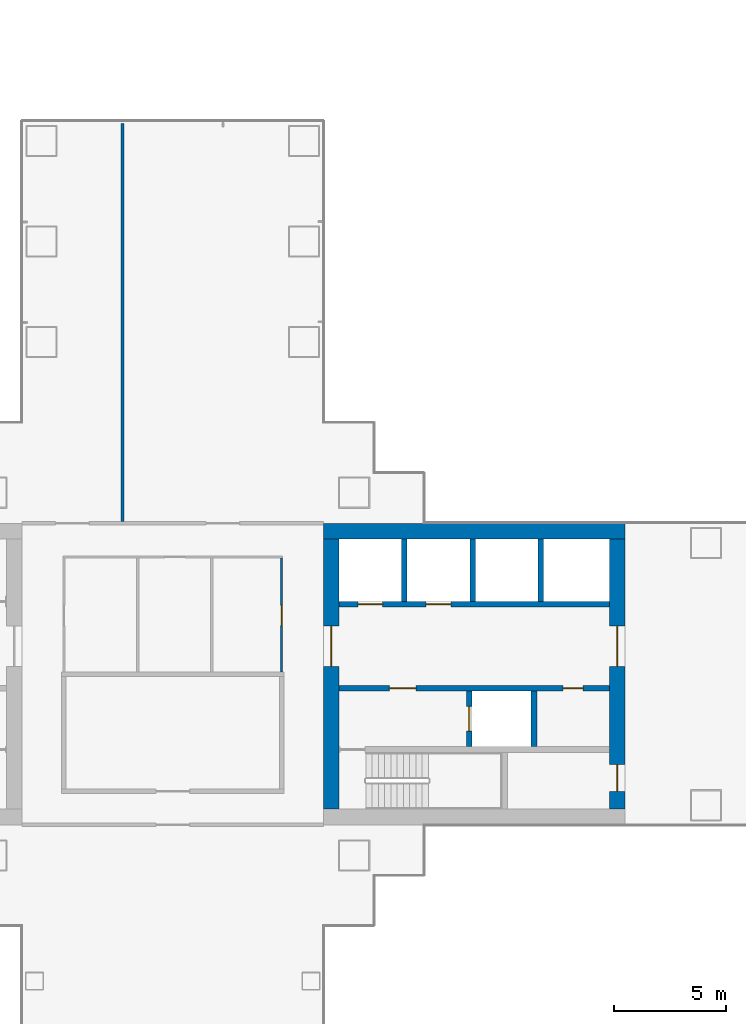
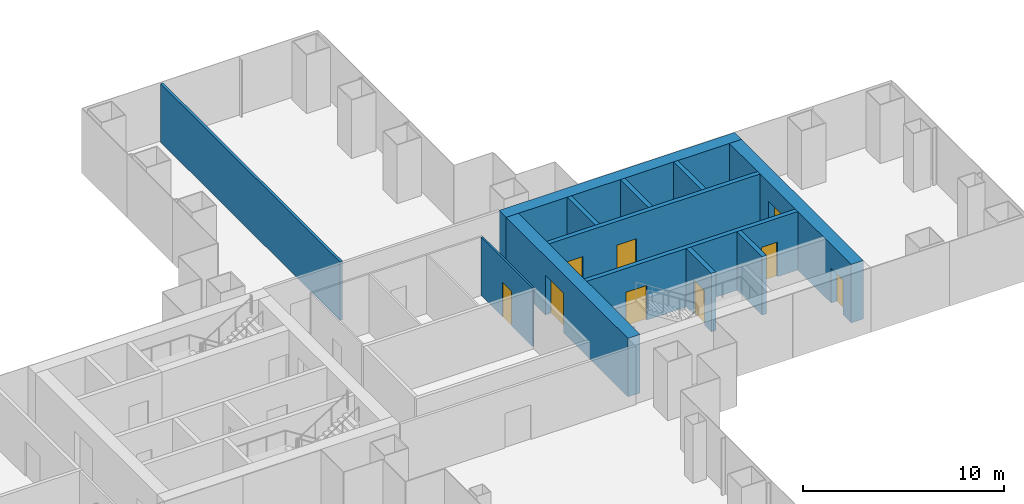
# One storey, part 15 of 22: 12 walls, 9 doors, 9 openings.
"""IFC4 building model written with IfcOpenShell, lengths in metres."""

from ifc_helpers import new_model, si_unit, direction, frame, frame_2d, origin, place, context, subcontext, project, spatial, rectangle, extrude, material, layer, layer_set, type_object, element, fill, save


model = new_model("IFC4")

# Units and contexts
model_context = context("Model", 3, precision=1e-05, world=origin(), true_north=direction((0.0, 1.0)))
body_context = subcontext(model_context, "Body", "Model", "MODEL_VIEW")
ifc_project = project(units=[si_unit("LENGTHUNIT", "METRE"), si_unit("AREAUNIT", "SQUARE_METRE"), si_unit("VOLUMEUNIT", "CUBIC_METRE"), si_unit("PLANEANGLEUNIT", "RADIAN"), si_unit("MASSUNIT", "GRAM", prefix="KILO")], contexts=[model_context])

# Site, building, storey
site_placement = place(None, origin())
site = spatial("IfcSite", under=ifc_project, at=site_placement, CompositionType="ELEMENT")
building_placement = place(site_placement, origin())
building = spatial("IfcBuilding", under=site, at=building_placement, Name="Shamsa Quay Exchange Towers", CompositionType="ELEMENT")
storey_placement = place(building_placement, frame((0.0, 0.0, 69.300048828125)))
storey = spatial("IfcBuildingStorey", under=building, at=storey_placement, Name="L15", CompositionType="ELEMENT", Elevation=69.300048828125)

# Wall
ifc_material_1 = material(Name="Concrete C80/95", Category="concrete")
ifc_layer_1 = layer(ifc_material_1, 0.699951171875)
ifc_layer_set_1 = layer_set([ifc_layer_1], Name="CORE WALL 700 C80/95")
wall_type_1 = type_object("IfcWallType", Name="CORE WALL 700 C80/95", PredefinedType="SHEAR", material=ifc_layer_set_1)
wall_1_placement = place(storey_placement, frame((-27.0, 6.39990234375, 0.0)))
element("IfcWall", 1, at=wall_1_placement, inside=storey, type_object=wall_type_1, Name="Core wall T1A-R07-PN", PredefinedType="SHEAR", context=body_context, shape_type="SweptSolid", body=[
    extrude(rectangle(XDim=13.5, YDim=0.699951171875, at=frame_2d((6.75, 0.0))), origin(), (0.0, 0.0, 1.0), 3.550048828125),
])

# Wall, opening, door
wall_2_placement = place(storey_placement, frame((-26.64990234375, 6.050048828125, 0.0), z_axis=(0.0, 0.0, 1.0), x_axis=(0.0, -1.0, 0.0)))
wall_2 = element("IfcWall", 2, at=wall_2_placement, inside=storey, type_object=wall_type_1, Name="Core wall T1A-R07-PF", PredefinedType="SHEAR", context=body_context, shape_type="SweptSolid", body=[
    extrude(rectangle(XDim=12.10009765625, YDim=0.699951171875, at=frame_2d((6.050048828125, 0.0))), origin(), (0.0, 0.0, 1.0), 3.550048828125),
])
opening_1_placement = place(wall_2_placement, frame((3.89990234375, 0.0, 0.0)))
opening_1 = element("IfcOpeningElement", 3, at=opening_1_placement, cuts=wall_2, Name="Opening T1A-R07-LBD01", PredefinedType="OPENING", context=body_context, shape_type="SweptSolid", body=[
    extrude(rectangle(XDim=1.800048828125, YDim=2.39990234375, at=frame_2d((0.89990234375, 1.199951171875))), frame((0.0, 0.35986328125, 0.0), z_axis=(0.0, -1.0, 0.0), x_axis=(1.0, 0.0, 0.0)), (0.0, 0.0, 1.0), 0.719970703125),
])
ifc_material_2 = material(Name="Steel, fire rated", Category="steel")
door_type_1 = type_object("IfcDoorType", Name="LIFT LOBBY DOOR PAIR 1800", OperationType="DOUBLE_DOOR_SINGLE_SWING", PredefinedType="DOOR", material=ifc_material_2)
door_1_placement = place(opening_1_placement, origin())
door_1 = element("IfcDoor", 4, at=door_1_placement, inside=storey, type_object=door_type_1, Name="T1A-R07-LBD01", OperationType="DOUBLE_DOOR_SINGLE_SWING", OverallHeight=2.39990234375, OverallWidth=1.800048828125, PredefinedType="DOOR", context=body_context, shape_type="SweptSolid", body=[
    extrude(rectangle(XDim=1.800048828125, YDim=2.39990234375, at=frame_2d((0.89990234375, 1.199951171875))), frame((0.0, 0.02490234375, 0.0), z_axis=(0.0, -1.0, 0.0), x_axis=(1.0, 0.0, 0.0)), (0.0, 0.0, 1.0), 0.050048828125),
])
fill(opening_1, door_1)

# Wall, openings, doors
wall_3_placement = place(storey_placement, frame((-13.85009765625, 6.050048828125, 0.0), z_axis=(0.0, 0.0, 1.0), x_axis=(0.0, -1.0, 0.0)))
wall_3 = element("IfcWall", 5, at=wall_3_placement, inside=storey, type_object=wall_type_1, Name="Core wall T1A-R07-PB", PredefinedType="SHEAR", context=body_context, shape_type="SweptSolid", body=[
    extrude(rectangle(XDim=12.10009765625, YDim=0.699951171875, at=frame_2d((6.050048828125, 0.0))), origin(), (0.0, 0.0, 1.0), 3.550048828125),
])
opening_2_placement = place(wall_3_placement, frame((10.10009765625, 0.0, 0.0)))
opening_2 = element("IfcOpeningElement", 6, at=opening_2_placement, cuts=wall_3, Name="Opening T1A-R07-RD02", PredefinedType="OPENING", context=body_context, shape_type="SweptSolid", body=[
    extrude(rectangle(XDim=1.199951171875, YDim=2.10009765625, at=frame_2d((0.60009765625, 1.050048828125))), frame((0.0, 0.35986328125, 0.0), z_axis=(0.0, -1.0, 0.0), x_axis=(1.0, 0.0, 0.0)), (0.0, 0.0, 1.0), 0.719970703125),
])
opening_3_placement = place(wall_3_placement, frame((3.89990234375, 0.0, 0.0)))
opening_3 = element("IfcOpeningElement", 7, at=opening_3_placement, cuts=wall_3, Name="Opening T1A-R07-LBD03", PredefinedType="OPENING", context=body_context, shape_type="SweptSolid", body=[
    extrude(rectangle(XDim=1.800048828125, YDim=2.39990234375, at=frame_2d((0.89990234375, 1.199951171875))), frame((0.0, 0.35986328125, 0.0), z_axis=(0.0, -1.0, 0.0), x_axis=(1.0, 0.0, 0.0)), (0.0, 0.0, 1.0), 0.719970703125),
])
door_2_placement = place(opening_3_placement, origin())
door_2 = element("IfcDoor", 8, at=door_2_placement, inside=storey, type_object=door_type_1, Name="T1A-R07-LBD03", OperationType="DOUBLE_DOOR_SINGLE_SWING", OverallHeight=2.39990234375, OverallWidth=1.800048828125, PredefinedType="DOOR", context=body_context, shape_type="SweptSolid", body=[
    extrude(rectangle(XDim=1.800048828125, YDim=2.39990234375, at=frame_2d((0.89990234375, 1.199951171875))), frame((0.0, 0.02490234375, 0.0), z_axis=(0.0, -1.0, 0.0), x_axis=(1.0, 0.0, 0.0)), (0.0, 0.0, 1.0), 0.050048828125),
])
fill(opening_3, door_2)
door_type_2 = type_object("IfcDoorType", Name="RISER ACCESS DOOR 1200", OperationType="SINGLE_SWING_LEFT", PredefinedType="DOOR", material=ifc_material_2)
door_3_placement = place(opening_2_placement, origin())
door_3 = element("IfcDoor", 9, at=door_3_placement, inside=storey, type_object=door_type_2, Name="T1A-R07-RD02", OperationType="SINGLE_SWING_RIGHT", OverallHeight=2.10009765625, OverallWidth=1.199951171875, PredefinedType="DOOR", context=body_context, shape_type="SweptSolid", body=[
    extrude(rectangle(XDim=1.199951171875, YDim=2.10009765625, at=frame_2d((0.60009765625, 1.050048828125))), frame((0.0, 0.02490234375, 0.0), z_axis=(0.0, -1.0, 0.0), x_axis=(1.0, 0.0, 0.0)), (0.0, 0.0, 1.0), 0.050048828125),
])
fill(opening_2, door_3)

# Wall, opening, door
ifc_material_3 = material(Name="Gypsum board partition on metal studs")
ifc_layer_2 = layer(ifc_material_3, 0.10009765625)
ifc_layer_set_2 = layer_set([ifc_layer_2], Name="Partition 100 mm NOT RATED")
wall_type_2 = type_object("IfcWallType", Name="Partition 100 mm NOT RATED", PredefinedType="PARTITIONING", material=ifc_layer_set_2)
wall_4_placement = place(storey_placement, frame((-28.875, 0.10009765625, 0.0), z_axis=(0.0, 0.0, 1.0), x_axis=(0.0, 1.0, 0.0)))
wall_4 = element("IfcWall", 10, at=wall_4_placement, inside=storey, type_object=wall_type_2, Name="Partition T1-R07-W06", PredefinedType="PARTITIONING", context=body_context, shape_type="SweptSolid", body=[
    extrude(rectangle(XDim=5.099853515625, YDim=0.10009765625, at=frame_2d((2.5498046875, 0.0))), origin(), (0.0, 0.0, 1.0), 3.550048828125),
])
opening_4_placement = place(wall_4_placement, frame((2.074951171875, 0.0, 0.0)))
opening_4 = element("IfcOpeningElement", 11, at=opening_4_placement, cuts=wall_4, Name="Opening T1-R07-D07", PredefinedType="OPENING", context=body_context, shape_type="SweptSolid", body=[
    extrude(rectangle(XDim=0.89990234375, YDim=2.10009765625, at=frame_2d((0.449951171875, 1.050048828125))), frame((0.0, 0.06005859375, 0.0), z_axis=(0.0, -1.0, 0.0), x_axis=(1.0, 0.0, 0.0)), (0.0, 0.0, 1.0), 0.1201171875),
])
ifc_material_4 = material(Name="Timber door leaf in a metal frame", Category="wood")
door_type_3 = type_object("IfcDoorType", Name="Door 900x2100 NOT RATED", OperationType="NOTDEFINED", PredefinedType="DOOR", material=ifc_material_4)
door_4_placement = place(opening_4_placement, origin())
door_4 = element("IfcDoor", 12, at=door_4_placement, inside=storey, type_object=door_type_3, Name="Door T1-R07-D07", OperationType="SINGLE_SWING_LEFT", OverallHeight=2.10009765625, OverallWidth=0.89990234375, PredefinedType="DOOR", context=body_context, shape_type="SweptSolid", body=[
    extrude(rectangle(XDim=0.89990234375, YDim=2.10009765625, at=frame_2d((0.449951171875, 1.050048828125))), frame((0.0, 0.02490234375, 0.0), z_axis=(0.0, -1.0, 0.0), x_axis=(1.0, 0.0, 0.0)), (0.0, 0.0, 1.0), 0.050048828125),
])
fill(opening_4, door_4)

# Wall
ifc_layer_3 = layer(ifc_material_3, 0.14990234375)
ifc_layer_set_3 = layer_set([ifc_layer_3], Name="Partition 150 mm EI 60")
wall_type_3 = type_object("IfcWallType", Name="Partition 150 mm EI 60", PredefinedType="PARTITIONING", material=ifc_layer_set_3)
wall_5_placement = place(storey_placement, frame((-36.0, 6.824951171875, 0.0), z_axis=(0.0, 0.0, 1.0), x_axis=(0.0, 1.0, 0.0)))
element("IfcWall", 13, at=wall_5_placement, inside=storey, type_object=wall_type_3, Name="Partition T1-R07-W14", PredefinedType="PARTITIONING", context=body_context, shape_type="SweptSolid", body=[
    extrude(rectangle(XDim=17.830078125, YDim=0.14990234375, at=frame_2d((8.9150390625, 0.0))), origin(), (0.0, 0.0, 1.0), 3.550048828125),
])

# Wall, openings, doors
ifc_material_5 = material(Name="Concrete C50/60", Category="concrete")
ifc_layer_4 = layer(ifc_material_5, 0.25)
ifc_layer_set_4 = layer_set([ifc_layer_4], Name="SHAFT WALL 250 C50/60")
wall_type_4 = type_object("IfcWallType", Name="SHAFT WALL 250 C50/60", PredefinedType="SHEAR", material=ifc_layer_set_4)
wall_6_placement = place(storey_placement, frame((-14.199951171875, -0.625, 0.0), z_axis=(0.0, 0.0, 1.0), x_axis=(-1.0, 0.0, 0.0)))
wall_6 = element("IfcWall", 14, at=wall_6_placement, inside=storey, type_object=wall_type_4, Name="Shaft wall T1A-R07-B", PredefinedType="SHEAR", context=body_context, shape_type="SweptSolid", body=[
    extrude(rectangle(XDim=12.10009765625, YDim=0.25, at=frame_2d((6.050048828125, 0.0))), origin(), (0.0, 0.0, 1.0), 3.550048828125),
])
opening_5_placement = place(wall_6_placement, frame((8.64990234375, 0.0, 0.0)))
opening_5 = element("IfcOpeningElement", 15, at=opening_5_placement, cuts=wall_6, Name="Opening T1A-R07-FD05", PredefinedType="OPENING", context=body_context, shape_type="SweptSolid", body=[
    extrude(rectangle(XDim=1.199951171875, YDim=2.10009765625, at=frame_2d((0.60009765625, 1.050048828125))), frame((0.0, 0.135009765625, 0.0), z_axis=(0.0, -1.0, 0.0), x_axis=(1.0, 0.0, 0.0)), (0.0, 0.0, 1.0), 0.27001953125),
])
opening_6_placement = place(wall_6_placement, frame((1.175048828125, 0.0, 0.0)))
opening_6 = element("IfcOpeningElement", 16, at=opening_6_placement, cuts=wall_6, Name="Opening T1A-R07-SV06", PredefinedType="OPENING", context=body_context, shape_type="SweptSolid", body=[
    extrude(rectangle(XDim=0.89990234375, YDim=2.10009765625, at=frame_2d((0.449951171875, 1.050048828125))), frame((0.0, 0.135009765625, 0.0), z_axis=(0.0, -1.0, 0.0), x_axis=(1.0, 0.0, 0.0)), (0.0, 0.0, 1.0), 0.27001953125),
])
door_type_4 = type_object("IfcDoorType", Name="FIRE SERVICE LOBBY DOOR 1200", OperationType="SINGLE_SWING_LEFT", PredefinedType="DOOR", material=ifc_material_2)
door_5_placement = place(opening_5_placement, origin())
door_5 = element("IfcDoor", 17, at=door_5_placement, inside=storey, type_object=door_type_4, Name="T1A-R07-FD05", OperationType="SINGLE_SWING_RIGHT", OverallHeight=2.10009765625, OverallWidth=1.199951171875, PredefinedType="DOOR", context=body_context, shape_type="SweptSolid", body=[
    extrude(rectangle(XDim=1.199951171875, YDim=2.10009765625, at=frame_2d((0.60009765625, 1.050048828125))), frame((0.0, 0.02490234375, 0.0), z_axis=(0.0, -1.0, 0.0), x_axis=(1.0, 0.0, 0.0)), (0.0, 0.0, 1.0), 0.050048828125),
])
fill(opening_5, door_5)
door_type_5 = type_object("IfcDoorType", Name="SERVICE ROOM DOOR 900", OperationType="SINGLE_SWING_LEFT", PredefinedType="DOOR", material=ifc_material_2)
door_6_placement = place(opening_6_placement, origin())
door_6 = element("IfcDoor", 18, at=door_6_placement, inside=storey, type_object=door_type_5, Name="T1A-R07-SV06", OperationType="SINGLE_SWING_LEFT", OverallHeight=2.10009765625, OverallWidth=0.89990234375, PredefinedType="DOOR", context=body_context, shape_type="SweptSolid", body=[
    extrude(rectangle(XDim=0.89990234375, YDim=2.10009765625, at=frame_2d((0.449951171875, 1.050048828125))), frame((0.0, 0.02490234375, 0.0), z_axis=(0.0, -1.0, 0.0), x_axis=(1.0, 0.0, 0.0)), (0.0, 0.0, 1.0), 0.050048828125),
])
fill(opening_6, door_6)

# Wall, opening, door
wall_7_placement = place(storey_placement, frame((-20.47509765625, -3.25, 0.0), z_axis=(0.0, 0.0, 1.0), x_axis=(0.0, 1.0, 0.0)))
wall_7 = element("IfcWall", 19, at=wall_7_placement, inside=storey, type_object=wall_type_4, Name="Shaft wall T1A-R07-FFF", PredefinedType="SHEAR", context=body_context, shape_type="SweptSolid", body=[
    extrude(rectangle(XDim=2.5, YDim=0.25, at=frame_2d((1.25, 0.0))), origin(), (0.0, 0.0, 1.0), 3.550048828125),
])
opening_7_placement = place(wall_7_placement, frame((0.699951171875, 0.0, 0.0)))
opening_7 = element("IfcOpeningElement", 20, at=opening_7_placement, cuts=wall_7, Name="Opening T1A-R07-LDF07", PredefinedType="OPENING", context=body_context, shape_type="SweptSolid", body=[
    extrude(rectangle(XDim=1.10009765625, YDim=2.10009765625, at=frame_2d((0.550048828125, 1.050048828125))), frame((0.0, 0.135009765625, 0.0), z_axis=(0.0, -1.0, 0.0), x_axis=(1.0, 0.0, 0.0)), (0.0, 0.0, 1.0), 0.27001953125),
])
door_type_6 = type_object("IfcDoorType", Name="FIRE SERVICE LANDING DOOR 1100", OperationType="SLIDING_TO_LEFT", PredefinedType="DOOR", material=ifc_material_2)
door_7_placement = place(opening_7_placement, origin())
door_7 = element("IfcDoor", 21, at=door_7_placement, inside=storey, type_object=door_type_6, Name="T1A-R07-LDF07", OperationType="SLIDING_TO_LEFT", OverallHeight=2.10009765625, OverallWidth=1.10009765625, PredefinedType="DOOR", context=body_context, shape_type="SweptSolid", body=[
    extrude(rectangle(XDim=1.10009765625, YDim=2.10009765625, at=frame_2d((0.550048828125, 1.050048828125))), frame((0.0, 0.02490234375, 0.0), z_axis=(0.0, -1.0, 0.0), x_axis=(1.0, 0.0, 0.0)), (0.0, 0.0, 1.0), 0.050048828125),
])
fill(opening_7, door_7)

# Wall
wall_8_placement = place(storey_placement, frame((-17.574951171875, -3.25, 0.0), z_axis=(0.0, 0.0, 1.0), x_axis=(0.0, 1.0, 0.0)))
element("IfcWall", 22, at=wall_8_placement, inside=storey, type_object=wall_type_4, Name="Shaft wall T1A-R07-FFB", PredefinedType="SHEAR", context=body_context, shape_type="SweptSolid", body=[
    extrude(rectangle(XDim=2.5, YDim=0.25, at=frame_2d((1.25, 0.0))), origin(), (0.0, 0.0, 1.0), 3.550048828125),
])

# Wall, openings, doors
wall_9_placement = place(storey_placement, frame((-26.300048828125, 3.125, 0.0)))
wall_9 = element("IfcWall", 23, at=wall_9_placement, inside=storey, type_object=wall_type_4, Name="Shaft wall T1A-R07-N", PredefinedType="SHEAR", context=body_context, shape_type="SweptSolid", body=[
    extrude(rectangle(XDim=12.10009765625, YDim=0.25, at=frame_2d((6.050048828125, 0.0))), origin(), (0.0, 0.0, 1.0), 3.550048828125),
])
opening_8_placement = place(wall_9_placement, frame((0.85009765625, 0.0, 0.0)))
opening_8 = element("IfcOpeningElement", 24, at=opening_8_placement, cuts=wall_9, Name="Opening T1A-R07-LD08", PredefinedType="OPENING", context=body_context, shape_type="SweptSolid", body=[
    extrude(rectangle(XDim=1.10009765625, YDim=2.10009765625, at=frame_2d((0.550048828125, 1.050048828125))), frame((0.0, 0.135009765625, 0.0), z_axis=(0.0, -1.0, 0.0), x_axis=(1.0, 0.0, 0.0)), (0.0, 0.0, 1.0), 0.27001953125),
])
opening_9_placement = place(wall_9_placement, frame((3.89990234375, 0.0, 0.0)))
opening_9 = element("IfcOpeningElement", 25, at=opening_9_placement, cuts=wall_9, Name="Opening T1A-R07-LD09", PredefinedType="OPENING", context=body_context, shape_type="SweptSolid", body=[
    extrude(rectangle(XDim=1.10009765625, YDim=2.10009765625, at=frame_2d((0.550048828125, 1.050048828125))), frame((0.0, 0.135009765625, 0.0), z_axis=(0.0, -1.0, 0.0), x_axis=(1.0, 0.0, 0.0)), (0.0, 0.0, 1.0), 0.27001953125),
])
door_type_7 = type_object("IfcDoorType", Name="LANDING DOOR 1100", OperationType="SLIDING_TO_LEFT", PredefinedType="DOOR", material=ifc_material_2)
door_8_placement = place(opening_8_placement, origin())
door_8 = element("IfcDoor", 26, at=door_8_placement, inside=storey, type_object=door_type_7, Name="T1A-R07-LD08", OperationType="SLIDING_TO_LEFT", OverallHeight=2.10009765625, OverallWidth=1.10009765625, PredefinedType="DOOR", context=body_context, shape_type="SweptSolid", body=[
    extrude(rectangle(XDim=1.10009765625, YDim=2.10009765625, at=frame_2d((0.550048828125, 1.050048828125))), frame((0.0, 0.02490234375, 0.0), z_axis=(0.0, -1.0, 0.0), x_axis=(1.0, 0.0, 0.0)), (0.0, 0.0, 1.0), 0.050048828125),
])
fill(opening_8, door_8)
door_9_placement = place(opening_9_placement, origin())
door_9 = element("IfcDoor", 27, at=door_9_placement, inside=storey, type_object=door_type_7, Name="T1A-R07-LD09", OperationType="SLIDING_TO_LEFT", OverallHeight=2.10009765625, OverallWidth=1.10009765625, PredefinedType="DOOR", context=body_context, shape_type="SweptSolid", body=[
    extrude(rectangle(XDim=1.10009765625, YDim=2.10009765625, at=frame_2d((0.550048828125, 1.050048828125))), frame((0.0, 0.02490234375, 0.0), z_axis=(0.0, -1.0, 0.0), x_axis=(1.0, 0.0, 0.0)), (0.0, 0.0, 1.0), 0.050048828125),
])
fill(opening_9, door_9)

# Walls
for number, where, z_axis, x_axis, name in (
    (28, (-23.375, 3.25, 0.0), (0.0, 0.0, 1.0), (0.0, 1.0, 0.0), "Shaft wall T1A-R07-D0"),
    (29, (-20.324951171875, 3.25, 0.0), (0.0, 0.0, 1.0), (0.0, 1.0, 0.0), "Shaft wall T1A-R07-D1"),
    (30, (-17.27490234375, 3.25, 0.0), (0.0, 0.0, 1.0), (0.0, 1.0, 0.0), "Shaft wall T1A-R07-D2"),
):
    element("IfcWall", number, at=place(storey_placement, frame(where, z_axis=z_axis, x_axis=x_axis)), inside=storey, type_object=wall_type_4, Name=name, PredefinedType="SHEAR", context=body_context, shape_type="SweptSolid", body=[
        extrude(rectangle(XDim=2.800048828125, YDim=0.25, at=frame_2d((1.39990234375, 0.0))), origin(), (0.0, 0.0, 1.0), 3.550048828125),
    ])

save(model, "model.ifc")
